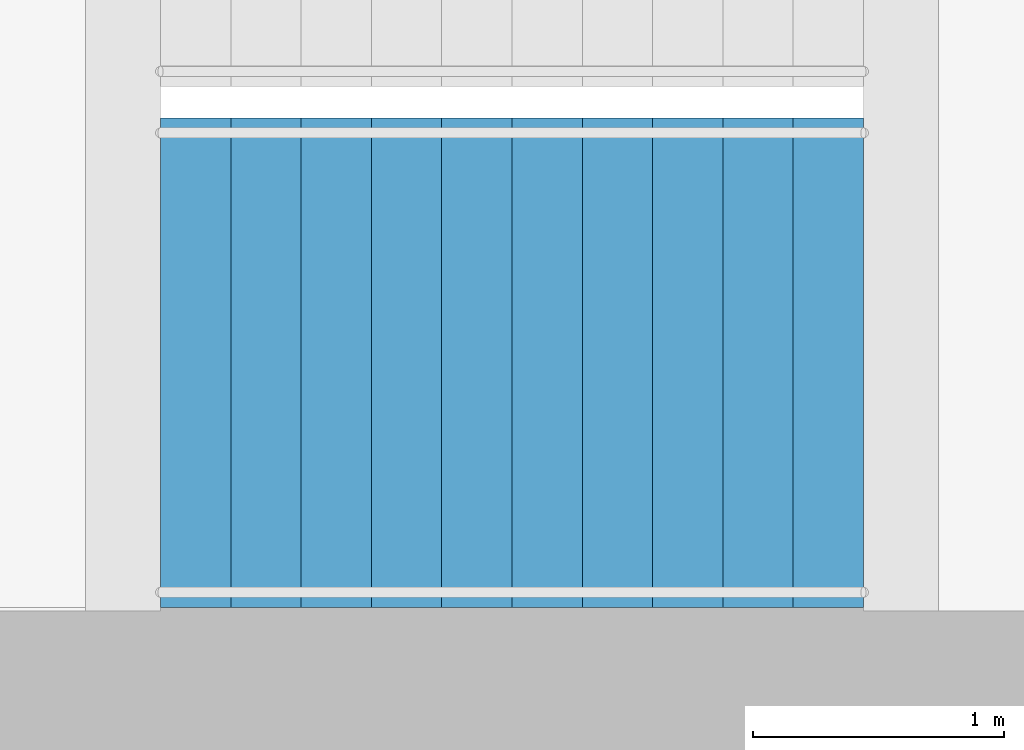
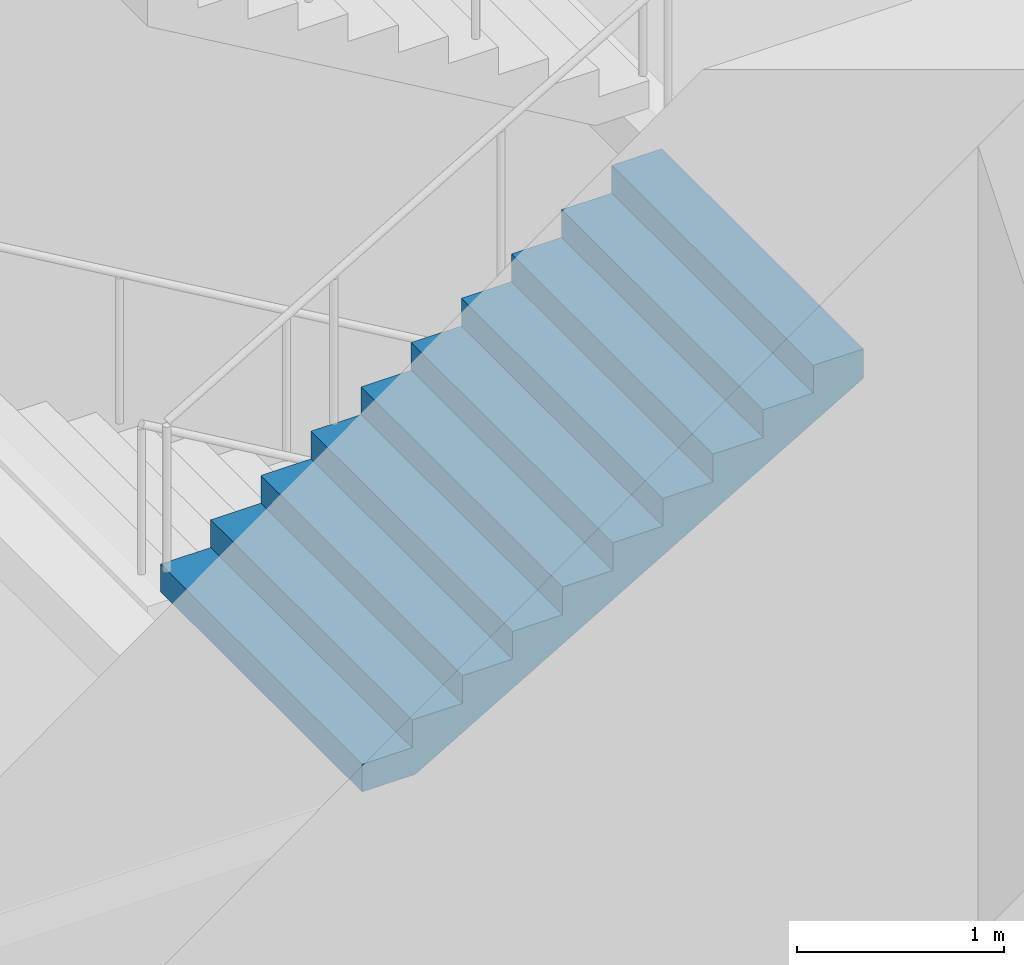
# One storey, part 15 of 22: 1 stair flight, 1 element without a shape of its own.
"""IFC4 building model written with IfcOpenShell, lengths in metres."""

from ifc_helpers import new_model, si_unit, direction, frame, origin, place, context, subcontext, project, spatial, triangles, material, type_object, element, aggregate, save


model = new_model("IFC4")

# Units and contexts
model_context = context("Model", 3, precision=1e-05, world=origin(), true_north=direction((0.0, 1.0)))
body_context = subcontext(model_context, "Body", "Model", "MODEL_VIEW")
ifc_project = project(units=[si_unit("LENGTHUNIT", "METRE"), si_unit("AREAUNIT", "SQUARE_METRE"), si_unit("VOLUMEUNIT", "CUBIC_METRE"), si_unit("PLANEANGLEUNIT", "RADIAN"), si_unit("MASSUNIT", "GRAM", prefix="KILO")], contexts=[model_context])

# Site, building, storey
site_placement = place(None, origin())
site = spatial("IfcSite", under=ifc_project, at=site_placement, CompositionType="ELEMENT")
building_placement = place(site_placement, origin())
building = spatial("IfcBuilding", under=site, at=building_placement, Name="Orbita Commons", CompositionType="ELEMENT")
storey_placement = place(building_placement, frame((0.0, 0.0, 201.10009765625)))
storey = spatial("IfcBuildingStorey", under=building, at=storey_placement, Name="L50", CompositionType="ELEMENT", Elevation=201.10009765625)

# Stair, stair flight
ifc_material_1 = material(Name="Precast concrete C40/50", Category="concrete")
stair_type = type_object("IfcStairType", Name="Exit stair S1 4 flights 11 risers 164", PredefinedType="HALF_TURN_STAIR", material=ifc_material_1)
stair_placement = place(storey_placement, origin())
stair = element("IfcStair", 1, at=stair_placement, inside=storey, type_object=stair_type, Name="Exit stair S1 L50", PredefinedType="HALF_TURN_STAIR")
ifc_material_2 = material(Name="Precast concrete C40/50", Category="concrete")
stair_flight_type = type_object("IfcStairFlightType", Name="Stair flight 11 risers 164 x 280", PredefinedType="STRAIGHT", material=ifc_material_2)
stair_flight_placement = place(storey_placement, frame((20.449951171875, 27.199951171875, 3.599853515625), z_axis=(0.0, 0.0, 1.0), x_axis=(1.0, 0.0, 0.0)))
stair_flight = element("IfcStairFlight", 2, at=stair_flight_placement, type_object=stair_flight_type, Name="S1 flight 3", NumberOfRisers=11, NumberOfTreads=10, PredefinedType="STRAIGHT", RiserHeight=0.163636364, TreadLength=0.28, context=body_context, shape_type="Tessellation", body=[
    triangles([(0.0, 0.974976, 0.0), (0.0, 0.974976, 0.020455), (0.0, 0.81248, 0.020455), (0.0, 0.81248, 0.0), (0.0, 0.649984, 0.020455), (0.0, 0.649984, 0.0), (0.0, 0.487488, 0.020455), (0.0, 0.487488, 0.0), (0.0, 0.324992, 0.020455), (0.0, 0.324992, 0.0), (0.0, 0.162496, 0.020455), (0.0, 0.162496, 0.0), (0.0, 0.0, 0.020455), (0.0, 0.0, 0.0), (0.0, -0.162496, 0.020455), (0.0, -0.162496, 0.0), (0.0, -0.324992, 0.020455), (0.0, -0.324992, 0.0), (0.0, -0.487488, 0.020455), (0.0, -0.487488, 0.0), (0.0, -0.649984, 0.020455), (0.0, -0.649984, 0.0), (0.0, -0.81248, 0.020455), (0.0, -0.81248, 0.0), (0.0, -0.974976, 0.020455), (0.0, -0.974976, 0.0), (0.0, 0.974976, 0.040909), (0.0, 0.81248, 0.040909), (0.0, 0.649984, 0.040909), (0.0, 0.487488, 0.040909), (0.0, 0.324992, 0.040909), (0.0, 0.162496, 0.040909), (0.0, 0.0, 0.040909), (0.0, -0.162496, 0.040909), (0.0, -0.324992, 0.040909), (0.0, -0.487488, 0.040909), (0.0, -0.649984, 0.040909), (0.0, -0.81248, 0.040909), (0.0, -0.974976, 0.040909), (0.0, 0.974976, 0.061364), (0.0, 0.81248, 0.061364), (0.0, 0.649984, 0.061364), (0.0, 0.487488, 0.061364), (0.0, 0.324992, 0.061364), (0.0, 0.162496, 0.061364), (0.0, 0.0, 0.061364), (0.0, -0.162496, 0.061364), (0.0, -0.324992, 0.061364), (0.0, -0.487488, 0.061364), (0.0, -0.649984, 0.061364), (0.0, -0.81248, 0.061364), (0.0, -0.974976, 0.061364), (0.0, 0.974976, 0.081818), (0.0, 0.81248, 0.081818), (0.0, 0.649984, 0.081818), (0.0, 0.487488, 0.081818), (0.0, 0.324992, 0.081818), (0.0, 0.162496, 0.081818), (0.0, 0.0, 0.081818), (0.0, -0.162496, 0.081818), (0.0, -0.324992, 0.081818), (0.0, -0.487488, 0.081818), (0.0, -0.649984, 0.081818), (0.0, -0.81248, 0.081818), (0.0, -0.974976, 0.081818), (0.0, 0.974976, 0.102273), (0.0, 0.81248, 0.102273), (0.0, 0.649984, 0.102273), (0.0, 0.487488, 0.102273), (0.0, 0.324992, 0.102273), (0.0, 0.162496, 0.102273), (0.0, 0.0, 0.102273), (0.0, -0.162496, 0.102273), (0.0, -0.324992, 0.102273), (0.0, -0.487488, 0.102273), (0.0, -0.649984, 0.102273), (0.0, -0.81248, 0.102273), (0.0, -0.974976, 0.102273), (0.0, 0.974976, 0.122727), (0.0, 0.81248, 0.122727), (0.0, 0.649984, 0.122727), (0.0, 0.487488, 0.122727), (0.0, 0.324992, 0.122727), (0.0, 0.162496, 0.122727), (0.0, 0.0, 0.122727), (0.0, -0.162496, 0.122727), (0.0, -0.324992, 0.122727), (0.0, -0.487488, 0.122727), (0.0, -0.649984, 0.122727), (0.0, -0.81248, 0.122727), (0.0, -0.974976, 0.122727), (0.0, 0.974976, 0.143182), (0.0, 0.81248, 0.143182), (0.0, 0.649984, 0.143182), (0.0, 0.487488, 0.143182), (0.0, 0.324992, 0.143182), (0.0, 0.162496, 0.143182), (0.0, 0.0, 0.143182), (0.0, -0.162496, 0.143182), (0.0, -0.324992, 0.143182), (0.0, -0.487488, 0.143182), (0.0, -0.649984, 0.143182), (0.0, -0.81248, 0.143182), (0.0, -0.974976, 0.143182), (0.0, 0.974976, 0.163636), (0.0, 0.81248, 0.163636), (0.0, 0.649984, 0.163636), (0.0, 0.487488, 0.163636), (0.0, 0.324992, 0.163636), (0.0, 0.162496, 0.163636), (0.0, 0.0, 0.163636), (0.0, -0.162496, 0.163636), (0.0, -0.324992, 0.163636), (0.0, -0.487488, 0.163636), (0.0, -0.649984, 0.163636), (0.0, -0.81248, 0.163636), (0.0, -0.974976, 0.163636), (0.28, 0.974976, 0.163636), (0.28, 0.81248, 0.163636), (0.28, 0.649984, 0.163636), (0.28, 0.487488, 0.163636), (0.28, 0.324992, 0.163636), (0.28, 0.162496, 0.163636), (0.28, 0.0, 0.163636), (0.28, -0.162496, 0.163636), (0.28, -0.324992, 0.163636), (0.28, -0.487488, 0.163636), (0.28, -0.649984, 0.163636), (0.28, -0.81248, 0.163636), (0.28, -0.974976, 0.163636), (0.28, 0.974976, 0.327273), (0.28, 0.81248, 0.327273), (0.28, 0.649984, 0.327273), (0.28, 0.487488, 0.327273), (0.28, 0.324992, 0.327273), (0.28, 0.162496, 0.327273), (0.28, 0.0, 0.327273), (0.28, -0.162496, 0.327273), (0.28, -0.324992, 0.327273), (0.28, -0.487488, 0.327273), (0.28, -0.649984, 0.327273), (0.28, -0.81248, 0.327273), (0.28, -0.974976, 0.327273), (0.56, 0.974976, 0.327273), (0.56, 0.81248, 0.327273), (0.56, 0.649984, 0.327273), (0.56, 0.487488, 0.327273), (0.56, 0.324992, 0.327273), (0.56, 0.162496, 0.327273), (0.56, 0.0, 0.327273), (0.56, -0.162496, 0.327273), (0.56, -0.324992, 0.327273), (0.56, -0.487488, 0.327273), (0.56, -0.649984, 0.327273), (0.56, -0.81248, 0.327273), (0.56, -0.974976, 0.327273), (0.56, 0.974976, 0.490909), (0.56, 0.81248, 0.490909), (0.56, 0.649984, 0.490909), (0.56, 0.487488, 0.490909), (0.56, 0.324992, 0.490909), (0.56, 0.162496, 0.490909), (0.56, 0.0, 0.490909), (0.56, -0.162496, 0.490909), (0.56, -0.324992, 0.490909), (0.56, -0.487488, 0.490909), (0.56, -0.649984, 0.490909), (0.56, -0.81248, 0.490909), (0.56, -0.974976, 0.490909), (0.84, 0.974976, 0.490909), (0.84, 0.81248, 0.490909), (0.84, 0.649984, 0.490909), (0.84, 0.487488, 0.490909), (0.84, 0.324992, 0.490909), (0.84, 0.162496, 0.490909), (0.84, 0.0, 0.490909), (0.84, -0.162496, 0.490909), (0.84, -0.324992, 0.490909), (0.84, -0.487488, 0.490909), (0.84, -0.649984, 0.490909), (0.84, -0.81248, 0.490909), (0.84, -0.974976, 0.490909), (0.84, 0.974976, 0.654545), (0.84, 0.81248, 0.654545), (0.84, 0.649984, 0.654545), (0.84, 0.487488, 0.654545), (0.84, 0.324992, 0.654545), (0.84, 0.162496, 0.654545), (0.84, 0.0, 0.654545), (0.84, -0.162496, 0.654545), (0.84, -0.324992, 0.654545), (0.84, -0.487488, 0.654545), (0.84, -0.649984, 0.654545), (0.84, -0.81248, 0.654545), (0.84, -0.974976, 0.654545), (1.12, 0.974976, 0.654545), (1.12, 0.81248, 0.654545), (1.12, 0.649984, 0.654545), (1.12, 0.487488, 0.654545), (1.12, 0.324992, 0.654545), (1.12, 0.162496, 0.654545), (1.12, 0.0, 0.654545), (1.12, -0.162496, 0.654545), (1.12, -0.324992, 0.654545), (1.12, -0.487488, 0.654545), (1.12, -0.649984, 0.654545), (1.12, -0.81248, 0.654545), (1.12, -0.974976, 0.654545), (1.12, 0.974976, 0.818182), (1.12, 0.81248, 0.818182), (1.12, 0.649984, 0.818182), (1.12, 0.487488, 0.818182), (1.12, 0.324992, 0.818182), (1.12, 0.162496, 0.818182), (1.12, 0.0, 0.818182), (1.12, -0.162496, 0.818182), (1.12, -0.324992, 0.818182), (1.12, -0.487488, 0.818182), (1.12, -0.649984, 0.818182), (1.12, -0.81248, 0.818182), (1.12, -0.974976, 0.818182), (1.4, 0.974976, 0.818182), (1.4, 0.81248, 0.818182), (1.4, 0.649984, 0.818182), (1.4, 0.487488, 0.818182), (1.4, 0.324992, 0.818182), (1.4, 0.162496, 0.818182), (1.4, 0.0, 0.818182), (1.4, -0.162496, 0.818182), (1.4, -0.324992, 0.818182), (1.4, -0.487488, 0.818182), (1.4, -0.649984, 0.818182), (1.4, -0.81248, 0.818182), (1.4, -0.974976, 0.818182), (1.4, 0.974976, 0.981818), (1.4, 0.81248, 0.981818), (1.4, 0.649984, 0.981818), (1.4, 0.487488, 0.981818), (1.4, 0.324992, 0.981818), (1.4, 0.162496, 0.981818), (1.4, 0.0, 0.981818), (1.4, -0.162496, 0.981818), (1.4, -0.324992, 0.981818), (1.4, -0.487488, 0.981818), (1.4, -0.649984, 0.981818), (1.4, -0.81248, 0.981818), (1.4, -0.974976, 0.981818), (1.68, 0.974976, 0.981818), (1.68, 0.81248, 0.981818), (1.68, 0.649984, 0.981818), (1.68, 0.487488, 0.981818), (1.68, 0.324992, 0.981818), (1.68, 0.162496, 0.981818), (1.68, 0.0, 0.981818), (1.68, -0.162496, 0.981818), (1.68, -0.324992, 0.981818), (1.68, -0.487488, 0.981818), (1.68, -0.649984, 0.981818), (1.68, -0.81248, 0.981818), (1.68, -0.974976, 0.981818), (1.68, 0.974976, 1.145455), (1.68, 0.81248, 1.145455), (1.68, 0.649984, 1.145455), (1.68, 0.487488, 1.145455), (1.68, 0.324992, 1.145455), (1.68, 0.162496, 1.145455), (1.68, 0.0, 1.145455), (1.68, -0.162496, 1.145455), (1.68, -0.324992, 1.145455), (1.68, -0.487488, 1.145455), (1.68, -0.649984, 1.145455), (1.68, -0.81248, 1.145455), (1.68, -0.974976, 1.145455), (1.96, 0.974976, 1.145455), (1.96, 0.81248, 1.145455), (1.96, 0.649984, 1.145455), (1.96, 0.487488, 1.145455), (1.96, 0.324992, 1.145455), (1.96, 0.162496, 1.145455), (1.96, 0.0, 1.145455), (1.96, -0.162496, 1.145455), (1.96, -0.324992, 1.145455), (1.96, -0.487488, 1.145455), (1.96, -0.649984, 1.145455), (1.96, -0.81248, 1.145455), (1.96, -0.974976, 1.145455), (1.96, 0.974976, 1.309091), (1.96, 0.81248, 1.309091), (1.96, 0.649984, 1.309091), (1.96, 0.487488, 1.309091), (1.96, 0.324992, 1.309091), (1.96, 0.162496, 1.309091), (1.96, 0.0, 1.309091), (1.96, -0.162496, 1.309091), (1.96, -0.324992, 1.309091), (1.96, -0.487488, 1.309091), (1.96, -0.649984, 1.309091), (1.96, -0.81248, 1.309091), (1.96, -0.974976, 1.309091), (2.24, 0.974976, 1.309091), (2.24, 0.81248, 1.309091), (2.24, 0.649984, 1.309091), (2.24, 0.487488, 1.309091), (2.24, 0.324992, 1.309091), (2.24, 0.162496, 1.309091), (2.24, 0.0, 1.309091), (2.24, -0.162496, 1.309091), (2.24, -0.324992, 1.309091), (2.24, -0.487488, 1.309091), (2.24, -0.649984, 1.309091), (2.24, -0.81248, 1.309091), (2.24, -0.974976, 1.309091), (2.24, 0.974976, 1.472727), (2.24, 0.81248, 1.472727), (2.24, 0.649984, 1.472727), (2.24, 0.487488, 1.472727), (2.24, 0.324992, 1.472727), (2.24, 0.162496, 1.472727), (2.24, 0.0, 1.472727), (2.24, -0.162496, 1.472727), (2.24, -0.324992, 1.472727), (2.24, -0.487488, 1.472727), (2.24, -0.649984, 1.472727), (2.24, -0.81248, 1.472727), (2.24, -0.974976, 1.472727), (2.52, 0.974976, 1.472727), (2.52, 0.81248, 1.472727), (2.52, 0.649984, 1.472727), (2.52, 0.487488, 1.472727), (2.52, 0.324992, 1.472727), (2.52, 0.162496, 1.472727), (2.52, 0.0, 1.472727), (2.52, -0.162496, 1.472727), (2.52, -0.324992, 1.472727), (2.52, -0.487488, 1.472727), (2.52, -0.649984, 1.472727), (2.52, -0.81248, 1.472727), (2.52, -0.974976, 1.472727), (2.52, 0.974976, 1.636364), (2.52, 0.81248, 1.636364), (2.52, 0.649984, 1.636364), (2.52, 0.487488, 1.636364), (2.52, 0.324992, 1.636364), (2.52, 0.162496, 1.636364), (2.52, 0.0, 1.636364), (2.52, -0.162496, 1.636364), (2.52, -0.324992, 1.636364), (2.52, -0.487488, 1.636364), (2.52, -0.649984, 1.636364), (2.52, -0.81248, 1.636364), (2.52, -0.974976, 1.636364), (2.8, 0.974976, 1.636364), (2.8, 0.81248, 1.636364), (2.8, 0.649984, 1.636364), (2.8, 0.487488, 1.636364), (2.8, 0.324992, 1.636364), (2.8, 0.162496, 1.636364), (2.8, 0.0, 1.636364), (2.8, -0.162496, 1.636364), (2.8, -0.324992, 1.636364), (2.8, -0.487488, 1.636364), (2.8, -0.649984, 1.636364), (2.8, -0.81248, 1.636364), (2.8, -0.974976, 1.636364), (2.8, 0.974976, 1.614661), (2.8, 0.81248, 1.614661), (2.8, 0.649984, 1.614661), (2.8, 0.487488, 1.614661), (2.8, 0.324992, 1.614661), (2.8, 0.162496, 1.614661), (2.8, 0.0, 1.614661), (2.8, -0.162496, 1.614661), (2.8, -0.324992, 1.614661), (2.8, -0.487488, 1.614661), (2.8, -0.649984, 1.614661), (2.8, -0.81248, 1.614661), (2.8, -0.974976, 1.614661), (2.8, 0.974976, 1.592958), (2.8, 0.81248, 1.592958), (2.8, 0.649984, 1.592958), (2.8, 0.487488, 1.592958), (2.8, 0.324992, 1.592958), (2.8, 0.162496, 1.592958), (2.8, 0.0, 1.592958), (2.8, -0.162496, 1.592958), (2.8, -0.324992, 1.592958), (2.8, -0.487488, 1.592958), (2.8, -0.649984, 1.592958), (2.8, -0.81248, 1.592958), (2.8, -0.974976, 1.592958), (2.8, 0.974976, 1.571255), (2.8, 0.81248, 1.571255), (2.8, 0.649984, 1.571255), (2.8, 0.487488, 1.571255), (2.8, 0.324992, 1.571255), (2.8, 0.162496, 1.571255), (2.8, 0.0, 1.571255), (2.8, -0.162496, 1.571255), (2.8, -0.324992, 1.571255), (2.8, -0.487488, 1.571255), (2.8, -0.649984, 1.571255), (2.8, -0.81248, 1.571255), (2.8, -0.974976, 1.571255), (2.8, 0.974976, 1.549551), (2.8, 0.81248, 1.549551), (2.8, 0.649984, 1.549551), (2.8, 0.487488, 1.549551), (2.8, 0.324992, 1.549551), (2.8, 0.162496, 1.549551), (2.8, 0.0, 1.549551), (2.8, -0.162496, 1.549551), (2.8, -0.324992, 1.549551), (2.8, -0.487488, 1.549551), (2.8, -0.649984, 1.549551), (2.8, -0.81248, 1.549551), (2.8, -0.974976, 1.549551), (2.8, 0.974976, 1.527848), (2.8, 0.81248, 1.527848), (2.8, 0.649984, 1.527848), (2.8, 0.487488, 1.527848), (2.8, 0.324992, 1.527848), (2.8, 0.162496, 1.527848), (2.8, 0.0, 1.527848), (2.8, -0.162496, 1.527848), (2.8, -0.324992, 1.527848), (2.8, -0.487488, 1.527848), (2.8, -0.649984, 1.527848), (2.8, -0.81248, 1.527848), (2.8, -0.974976, 1.527848), (2.8, 0.974976, 1.506145), (2.8, 0.81248, 1.506145), (2.8, 0.649984, 1.506145), (2.8, 0.487488, 1.506145), (2.8, 0.324992, 1.506145), (2.8, 0.162496, 1.506145), (2.8, 0.0, 1.506145), (2.8, -0.162496, 1.506145), (2.8, -0.324992, 1.506145), (2.8, -0.487488, 1.506145), (2.8, -0.649984, 1.506145), (2.8, -0.81248, 1.506145), (2.8, -0.974976, 1.506145), (2.8, 0.974976, 1.484442), (2.8, 0.81248, 1.484442), (2.8, 0.649984, 1.484442), (2.8, 0.487488, 1.484442), (2.8, 0.324992, 1.484442), (2.8, 0.162496, 1.484442), (2.8, 0.0, 1.484442), (2.8, -0.162496, 1.484442), (2.8, -0.324992, 1.484442), (2.8, -0.487488, 1.484442), (2.8, -0.649984, 1.484442), (2.8, -0.81248, 1.484442), (2.8, -0.974976, 1.484442), (2.8, 0.974976, 1.462739), (2.8, 0.81248, 1.462739), (2.8, 0.649984, 1.462739), (2.8, 0.487488, 1.462739), (2.8, 0.324992, 1.462739), (2.8, 0.162496, 1.462739), (2.8, 0.0, 1.462739), (2.8, -0.162496, 1.462739), (2.8, -0.324992, 1.462739), (2.8, -0.487488, 1.462739), (2.8, -0.649984, 1.462739), (2.8, -0.81248, 1.462739), (2.8, -0.974976, 1.462739), (0.29709, 0.974976, 0.0), (0.29709, 0.81248, 0.0), (0.29709, 0.649984, 0.0), (0.29709, 0.487488, 0.0), (0.29709, 0.324992, 0.0), (0.29709, 0.162496, 0.0), (0.29709, 0.0, 0.0), (0.29709, -0.162496, 0.0), (0.29709, -0.324992, 0.0), (0.29709, -0.487488, 0.0), (0.29709, -0.649984, 0.0), (0.29709, -0.81248, 0.0), (0.29709, -0.974976, 0.0)], [[3, 2, 1], [4, 3, 1], [5, 3, 4], [6, 5, 4], [7, 5, 6], [8, 7, 6], [9, 7, 8], [10, 9, 8], [11, 9, 10], [12, 11, 10], [13, 11, 12], [14, 13, 12], [15, 13, 14], [16, 15, 14], [17, 15, 16], [18, 17, 16], [19, 17, 18], [20, 19, 18], [21, 19, 20], [22, 21, 20], [23, 21, 22], [24, 23, 22], [25, 23, 24], [26, 25, 24], [28, 27, 2], [3, 28, 2], [29, 28, 3], [5, 29, 3], [30, 29, 5], [7, 30, 5], [31, 30, 7], [9, 31, 7], [32, 31, 9], [11, 32, 9], [33, 32, 11], [13, 33, 11], [34, 33, 13], [15, 34, 13], [35, 34, 15], [17, 35, 15], [36, 35, 17], [19, 36, 17], [37, 36, 19], [21, 37, 19], [38, 37, 21], [23, 38, 21], [39, 38, 23], [25, 39, 23], [41, 40, 27], [28, 41, 27], [42, 41, 28], [29, 42, 28], [43, 42, 29], [30, 43, 29], [44, 43, 30], [31, 44, 30], [45, 44, 31], [32, 45, 31], [46, 45, 32], [33, 46, 32], [47, 46, 33], [34, 47, 33], [48, 47, 34], [35, 48, 34], [49, 48, 35], [36, 49, 35], [50, 49, 36], [37, 50, 36], [51, 50, 37], [38, 51, 37], [52, 51, 38], [39, 52, 38], [54, 53, 40], [41, 54, 40], [55, 54, 41], [42, 55, 41], [56, 55, 42], [43, 56, 42], [57, 56, 43], [44, 57, 43], [58, 57, 44], [45, 58, 44], [59, 58, 45], [46, 59, 45], [60, 59, 46], [47, 60, 46], [61, 60, 47], [48, 61, 47], [62, 61, 48], [49, 62, 48], [63, 62, 49], [50, 63, 49], [64, 63, 50], [51, 64, 50], [65, 64, 51], [52, 65, 51], [67, 66, 53], [54, 67, 53], [68, 67, 54], [55, 68, 54], [69, 68, 55], [56, 69, 55], [70, 69, 56], [57, 70, 56], [71, 70, 57], [58, 71, 57], [72, 71, 58], [59, 72, 58], [73, 72, 59], [60, 73, 59], [74, 73, 60], [61, 74, 60], [75, 74, 61], [62, 75, 61], [76, 75, 62], [63, 76, 62], [77, 76, 63], [64, 77, 63], [78, 77, 64], [65, 78, 64], [80, 79, 66], [67, 80, 66], [81, 80, 67], [68, 81, 67], [82, 81, 68], [69, 82, 68], [83, 82, 69], [70, 83, 69], [84, 83, 70], [71, 84, 70], [85, 84, 71], [72, 85, 71], [86, 85, 72], [73, 86, 72], [87, 86, 73], [74, 87, 73], [88, 87, 74], [75, 88, 74], [89, 88, 75], [76, 89, 75], [90, 89, 76], [77, 90, 76], [91, 90, 77], [78, 91, 77], [93, 92, 79], [80, 93, 79], [94, 93, 80], [81, 94, 80], [95, 94, 81], [82, 95, 81], [96, 95, 82], [83, 96, 82], [97, 96, 83], [84, 97, 83], [98, 97, 84], [85, 98, 84], [99, 98, 85], [86, 99, 85], [100, 99, 86], [87, 100, 86], [101, 100, 87], [88, 101, 87], [102, 101, 88], [89, 102, 88], [103, 102, 89], [90, 103, 89], [104, 103, 90], [91, 104, 90], [106, 105, 92], [93, 106, 92], [107, 106, 93], [94, 107, 93], [108, 107, 94], [95, 108, 94], [109, 108, 95], [96, 109, 95], [110, 109, 96], [97, 110, 96], [111, 110, 97], [98, 111, 97], [112, 111, 98], [99, 112, 98], [113, 112, 99], [100, 113, 99], [114, 113, 100], [101, 114, 100], [115, 114, 101], [102, 115, 101], [116, 115, 102], [103, 116, 102], [117, 116, 103], [104, 117, 103], [119, 118, 105], [106, 119, 105], [120, 119, 106], [107, 120, 106], [121, 120, 107], [108, 121, 107], [122, 121, 108], [109, 122, 108], [123, 122, 109], [110, 123, 109], [124, 123, 110], [111, 124, 110], [125, 124, 111], [112, 125, 111], [126, 125, 112], [113, 126, 112], [127, 126, 113], [114, 127, 113], [128, 127, 114], [115, 128, 114], [129, 128, 115], [116, 129, 115], [130, 129, 116], [117, 130, 116], [132, 131, 118], [119, 132, 118], [133, 132, 119], [120, 133, 119], [134, 133, 120], [121, 134, 120], [135, 134, 121], [122, 135, 121], [136, 135, 122], [123, 136, 122], [137, 136, 123], [124, 137, 123], [138, 137, 124], [125, 138, 124], [139, 138, 125], [126, 139, 125], [140, 139, 126], [127, 140, 126], [141, 140, 127], [128, 141, 127], [142, 141, 128], [129, 142, 128], [143, 142, 129], [130, 143, 129], [145, 144, 131], [132, 145, 131], [146, 145, 132], [133, 146, 132], [147, 146, 133], [134, 147, 133], [148, 147, 134], [135, 148, 134], [149, 148, 135], [136, 149, 135], [150, 149, 136], [137, 150, 136], [151, 150, 137], [138, 151, 137], [152, 151, 138], [139, 152, 138], [153, 152, 139], [140, 153, 139], [154, 153, 140], [141, 154, 140], [155, 154, 141], [142, 155, 141], [156, 155, 142], [143, 156, 142], [158, 157, 144], [145, 158, 144], [159, 158, 145], [146, 159, 145], [160, 159, 146], [147, 160, 146], [161, 160, 147], [148, 161, 147], [162, 161, 148], [149, 162, 148], [163, 162, 149], [150, 163, 149], [164, 163, 150], [151, 164, 150], [165, 164, 151], [152, 165, 151], [166, 165, 152], [153, 166, 152], [167, 166, 153], [154, 167, 153], [168, 167, 154], [155, 168, 154], [169, 168, 155], [156, 169, 155], [171, 170, 157], [158, 171, 157], [172, 171, 158], [159, 172, 158], [173, 172, 159], [160, 173, 159], [174, 173, 160], [161, 174, 160], [175, 174, 161], [162, 175, 161], [176, 175, 162], [163, 176, 162], [177, 176, 163], [164, 177, 163], [178, 177, 164], [165, 178, 164], [179, 178, 165], [166, 179, 165], [180, 179, 166], [167, 180, 166], [181, 180, 167], [168, 181, 167], [182, 181, 168], [169, 182, 168], [184, 183, 170], [171, 184, 170], [185, 184, 171], [172, 185, 171], [186, 185, 172], [173, 186, 172], [187, 186, 173], [174, 187, 173], [188, 187, 174], [175, 188, 174], [189, 188, 175], [176, 189, 175], [190, 189, 176], [177, 190, 176], [191, 190, 177], [178, 191, 177], [192, 191, 178], [179, 192, 178], [193, 192, 179], [180, 193, 179], [194, 193, 180], [181, 194, 180], [195, 194, 181], [182, 195, 181], [197, 196, 183], [184, 197, 183], [198, 197, 184], [185, 198, 184], [199, 198, 185], [186, 199, 185], [200, 199, 186], [187, 200, 186], [201, 200, 187], [188, 201, 187], [202, 201, 188], [189, 202, 188], [203, 202, 189], [190, 203, 189], [204, 203, 190], [191, 204, 190], [205, 204, 191], [192, 205, 191], [206, 205, 192], [193, 206, 192], [207, 206, 193], [194, 207, 193], [208, 207, 194], [195, 208, 194], [210, 209, 196], [197, 210, 196], [211, 210, 197], [198, 211, 197], [212, 211, 198], [199, 212, 198], [213, 212, 199], [200, 213, 199], [214, 213, 200], [201, 214, 200], [215, 214, 201], [202, 215, 201], [216, 215, 202], [203, 216, 202], [217, 216, 203], [204, 217, 203], [218, 217, 204], [205, 218, 204], [219, 218, 205], [206, 219, 205], [220, 219, 206], [207, 220, 206], [221, 220, 207], [208, 221, 207], [223, 222, 209], [210, 223, 209], [224, 223, 210], [211, 224, 210], [225, 224, 211], [212, 225, 211], [226, 225, 212], [213, 226, 212], [227, 226, 213], [214, 227, 213], [228, 227, 214], [215, 228, 214], [229, 228, 215], [216, 229, 215], [230, 229, 216], [217, 230, 216], [231, 230, 217], [218, 231, 217], [232, 231, 218], [219, 232, 218], [233, 232, 219], [220, 233, 219], [234, 233, 220], [221, 234, 220], [236, 235, 222], [223, 236, 222], [237, 236, 223], [224, 237, 223], [238, 237, 224], [225, 238, 224], [239, 238, 225], [226, 239, 225], [240, 239, 226], [227, 240, 226], [241, 240, 227], [228, 241, 227], [242, 241, 228], [229, 242, 228], [243, 242, 229], [230, 243, 229], [244, 243, 230], [231, 244, 230], [245, 244, 231], [232, 245, 231], [246, 245, 232], [233, 246, 232], [247, 246, 233], [234, 247, 233], [249, 248, 235], [236, 249, 235], [250, 249, 236], [237, 250, 236], [251, 250, 237], [238, 251, 237], [252, 251, 238], [239, 252, 238], [253, 252, 239], [240, 253, 239], [254, 253, 240], [241, 254, 240], [255, 254, 241], [242, 255, 241], [256, 255, 242], [243, 256, 242], [257, 256, 243], [244, 257, 243], [258, 257, 244], [245, 258, 244], [259, 258, 245], [246, 259, 245], [260, 259, 246], [247, 260, 246], [262, 261, 248], [249, 262, 248], [263, 262, 249], [250, 263, 249], [264, 263, 250], [251, 264, 250], [265, 264, 251], [252, 265, 251], [266, 265, 252], [253, 266, 252], [267, 266, 253], [254, 267, 253], [268, 267, 254], [255, 268, 254], [269, 268, 255], [256, 269, 255], [270, 269, 256], [257, 270, 256], [271, 270, 257], [258, 271, 257], [272, 271, 258], [259, 272, 258], [273, 272, 259], [260, 273, 259], [275, 274, 261], [262, 275, 261], [276, 275, 262], [263, 276, 262], [277, 276, 263], [264, 277, 263], [278, 277, 264], [265, 278, 264], [279, 278, 265], [266, 279, 265], [280, 279, 266], [267, 280, 266], [281, 280, 267], [268, 281, 267], [282, 281, 268], [269, 282, 268], [283, 282, 269], [270, 283, 269], [284, 283, 270], [271, 284, 270], [285, 284, 271], [272, 285, 271], [286, 285, 272], [273, 286, 272], [288, 287, 274], [275, 288, 274], [289, 288, 275], [276, 289, 275], [290, 289, 276], [277, 290, 276], [291, 290, 277], [278, 291, 277], [292, 291, 278], [279, 292, 278], [293, 292, 279], [280, 293, 279], [294, 293, 280], [281, 294, 280], [295, 294, 281], [282, 295, 281], [296, 295, 282], [283, 296, 282], [297, 296, 283], [284, 297, 283], [298, 297, 284], [285, 298, 284], [299, 298, 285], [286, 299, 285], [301, 300, 287], [288, 301, 287], [302, 301, 288], [289, 302, 288], [303, 302, 289], [290, 303, 289], [304, 303, 290], [291, 304, 290], [305, 304, 291], [292, 305, 291], [306, 305, 292], [293, 306, 292], [307, 306, 293], [294, 307, 293], [308, 307, 294], [295, 308, 294], [309, 308, 295], [296, 309, 295], [310, 309, 296], [297, 310, 296], [311, 310, 297], [298, 311, 297], [312, 311, 298], [299, 312, 298], [314, 313, 300], [301, 314, 300], [315, 314, 301], [302, 315, 301], [316, 315, 302], [303, 316, 302], [317, 316, 303], [304, 317, 303], [318, 317, 304], [305, 318, 304], [319, 318, 305], [306, 319, 305], [320, 319, 306], [307, 320, 306], [321, 320, 307], [308, 321, 307], [322, 321, 308], [309, 322, 308], [323, 322, 309], [310, 323, 309], [324, 323, 310], [311, 324, 310], [325, 324, 311], [312, 325, 311], [327, 326, 313], [314, 327, 313], [328, 327, 314], [315, 328, 314], [329, 328, 315], [316, 329, 315], [330, 329, 316], [317, 330, 316], [331, 330, 317], [318, 331, 317], [332, 331, 318], [319, 332, 318], [333, 332, 319], [320, 333, 319], [334, 333, 320], [321, 334, 320], [335, 334, 321], [322, 335, 321], [336, 335, 322], [323, 336, 322], [337, 336, 323], [324, 337, 323], [338, 337, 324], [325, 338, 324], [340, 339, 326], [327, 340, 326], [341, 340, 327], [328, 341, 327], [342, 341, 328], [329, 342, 328], [343, 342, 329], [330, 343, 329], [344, 343, 330], [331, 344, 330], [345, 344, 331], [332, 345, 331], [346, 345, 332], [333, 346, 332], [347, 346, 333], [334, 347, 333], [348, 347, 334], [335, 348, 334], [349, 348, 335], [336, 349, 335], [350, 349, 336], [337, 350, 336], [351, 350, 337], [338, 351, 337], [353, 352, 339], [340, 353, 339], [354, 353, 340], [341, 354, 340], [355, 354, 341], [342, 355, 341], [356, 355, 342], [343, 356, 342], [357, 356, 343], [344, 357, 343], [358, 357, 344], [345, 358, 344], [359, 358, 345], [346, 359, 345], [360, 359, 346], [347, 360, 346], [361, 360, 347], [348, 361, 347], [362, 361, 348], [349, 362, 348], [363, 362, 349], [350, 363, 349], [364, 363, 350], [351, 364, 350], [366, 365, 352], [353, 366, 352], [367, 366, 353], [354, 367, 353], [368, 367, 354], [355, 368, 354], [369, 368, 355], [356, 369, 355], [370, 369, 356], [357, 370, 356], [371, 370, 357], [358, 371, 357], [372, 371, 358], [359, 372, 358], [373, 372, 359], [360, 373, 359], [374, 373, 360], [361, 374, 360], [375, 374, 361], [362, 375, 361], [376, 375, 362], [363, 376, 362], [377, 376, 363], [364, 377, 363], [379, 378, 365], [366, 379, 365], [380, 379, 366], [367, 380, 366], [381, 380, 367], [368, 381, 367], [382, 381, 368], [369, 382, 368], [383, 382, 369], [370, 383, 369], [384, 383, 370], [371, 384, 370], [385, 384, 371], [372, 385, 371], [386, 385, 372], [373, 386, 372], [387, 386, 373], [374, 387, 373], [388, 387, 374], [375, 388, 374], [389, 388, 375], [376, 389, 375], [390, 389, 376], [377, 390, 376], [392, 391, 378], [379, 392, 378], [393, 392, 379], [380, 393, 379], [394, 393, 380], [381, 394, 380], [395, 394, 381], [382, 395, 381], [396, 395, 382], [383, 396, 382], [397, 396, 383], [384, 397, 383], [398, 397, 384], [385, 398, 384], [399, 398, 385], [386, 399, 385], [400, 399, 386], [387, 400, 386], [401, 400, 387], [388, 401, 387], [402, 401, 388], [389, 402, 388], [403, 402, 389], [390, 403, 389], [405, 404, 391], [392, 405, 391], [406, 405, 392], [393, 406, 392], [407, 406, 393], [394, 407, 393], [408, 407, 394], [395, 408, 394], [409, 408, 395], [396, 409, 395], [410, 409, 396], [397, 410, 396], [411, 410, 397], [398, 411, 397], [412, 411, 398], [399, 412, 398], [413, 412, 399], [400, 413, 399], [414, 413, 400], [401, 414, 400], [415, 414, 401], [402, 415, 401], [416, 415, 402], [403, 416, 402], [418, 417, 404], [405, 418, 404], [419, 418, 405], [406, 419, 405], [420, 419, 406], [407, 420, 406], [421, 420, 407], [408, 421, 407], [422, 421, 408], [409, 422, 408], [423, 422, 409], [410, 423, 409], [424, 423, 410], [411, 424, 410], [425, 424, 411], [412, 425, 411], [426, 425, 412], [413, 426, 412], [427, 426, 413], [414, 427, 413], [428, 427, 414], [415, 428, 414], [429, 428, 415], [416, 429, 415], [431, 430, 417], [418, 431, 417], [432, 431, 418], [419, 432, 418], [433, 432, 419], [420, 433, 419], [434, 433, 420], [421, 434, 420], [435, 434, 421], [422, 435, 421], [436, 435, 422], [423, 436, 422], [437, 436, 423], [424, 437, 423], [438, 437, 424], [425, 438, 424], [439, 438, 425], [426, 439, 425], [440, 439, 426], [427, 440, 426], [441, 440, 427], [428, 441, 427], [442, 441, 428], [429, 442, 428], [444, 443, 430], [431, 444, 430], [445, 444, 431], [432, 445, 431], [446, 445, 432], [433, 446, 432], [447, 446, 433], [434, 447, 433], [448, 447, 434], [435, 448, 434], [449, 448, 435], [436, 449, 435], [450, 449, 436], [437, 450, 436], [451, 450, 437], [438, 451, 437], [452, 451, 438], [439, 452, 438], [453, 452, 439], [440, 453, 439], [454, 453, 440], [441, 454, 440], [455, 454, 441], [442, 455, 441], [457, 456, 443], [444, 457, 443], [458, 457, 444], [445, 458, 444], [459, 458, 445], [446, 459, 445], [460, 459, 446], [447, 460, 446], [461, 460, 447], [448, 461, 447], [462, 461, 448], [449, 462, 448], [463, 462, 449], [450, 463, 449], [464, 463, 450], [451, 464, 450], [465, 464, 451], [452, 465, 451], [466, 465, 452], [453, 466, 452], [467, 466, 453], [454, 467, 453], [468, 467, 454], [455, 468, 454], [470, 469, 456], [457, 470, 456], [471, 470, 457], [458, 471, 457], [472, 471, 458], [459, 472, 458], [473, 472, 459], [460, 473, 459], [474, 473, 460], [461, 474, 460], [475, 474, 461], [462, 475, 461], [476, 475, 462], [463, 476, 462], [477, 476, 463], [464, 477, 463], [478, 477, 464], [465, 478, 464], [479, 478, 465], [466, 479, 465], [480, 479, 466], [467, 480, 466], [481, 480, 467], [468, 481, 467], [4, 1, 469], [470, 4, 469], [6, 4, 470], [471, 6, 470], [8, 6, 471], [472, 8, 471], [10, 8, 472], [473, 10, 472], [12, 10, 473], [474, 12, 473], [14, 12, 474], [475, 14, 474], [16, 14, 475], [476, 16, 475], [18, 16, 476], [477, 18, 476], [20, 18, 477], [478, 20, 477], [22, 20, 478], [479, 22, 478], [24, 22, 479], [480, 24, 479], [26, 24, 480], [481, 26, 480], [456, 469, 1], [26, 481, 468], [443, 456, 1], [26, 468, 455], [430, 443, 1], [26, 455, 442], [417, 430, 1], [26, 442, 429], [404, 417, 1], [26, 429, 416], [391, 404, 1], [26, 416, 403], [378, 391, 1], [26, 403, 390], [365, 378, 1], [26, 390, 377], [339, 352, 365], [377, 364, 351], [326, 339, 365], [377, 351, 338], [300, 313, 326], [338, 325, 312], [300, 326, 365], [377, 338, 312], [274, 287, 300], [312, 299, 286], [274, 300, 365], [377, 312, 286], [248, 261, 274], [286, 273, 260], [248, 274, 365], [377, 286, 260], [222, 235, 248], [260, 247, 234], [222, 248, 365], [377, 260, 234], [196, 209, 222], [234, 221, 208], [196, 222, 365], [377, 234, 208], [170, 183, 196], [208, 195, 182], [170, 196, 365], [377, 208, 182], [144, 157, 170], [182, 169, 156], [144, 170, 365], [377, 182, 156], [118, 131, 144], [156, 143, 130], [118, 144, 365], [377, 156, 130], [118, 365, 1], [26, 377, 130], [92, 105, 118], [130, 117, 104], [79, 92, 118], [130, 104, 91], [66, 79, 118], [130, 91, 78], [53, 66, 118], [130, 78, 65], [40, 53, 118], [130, 65, 52], [27, 40, 118], [130, 52, 39], [2, 27, 118], [130, 39, 25], [1, 2, 118], [130, 25, 26]], closed=True),
])
aggregate(stair, [stair_flight])

save(model, "model.ifc")
